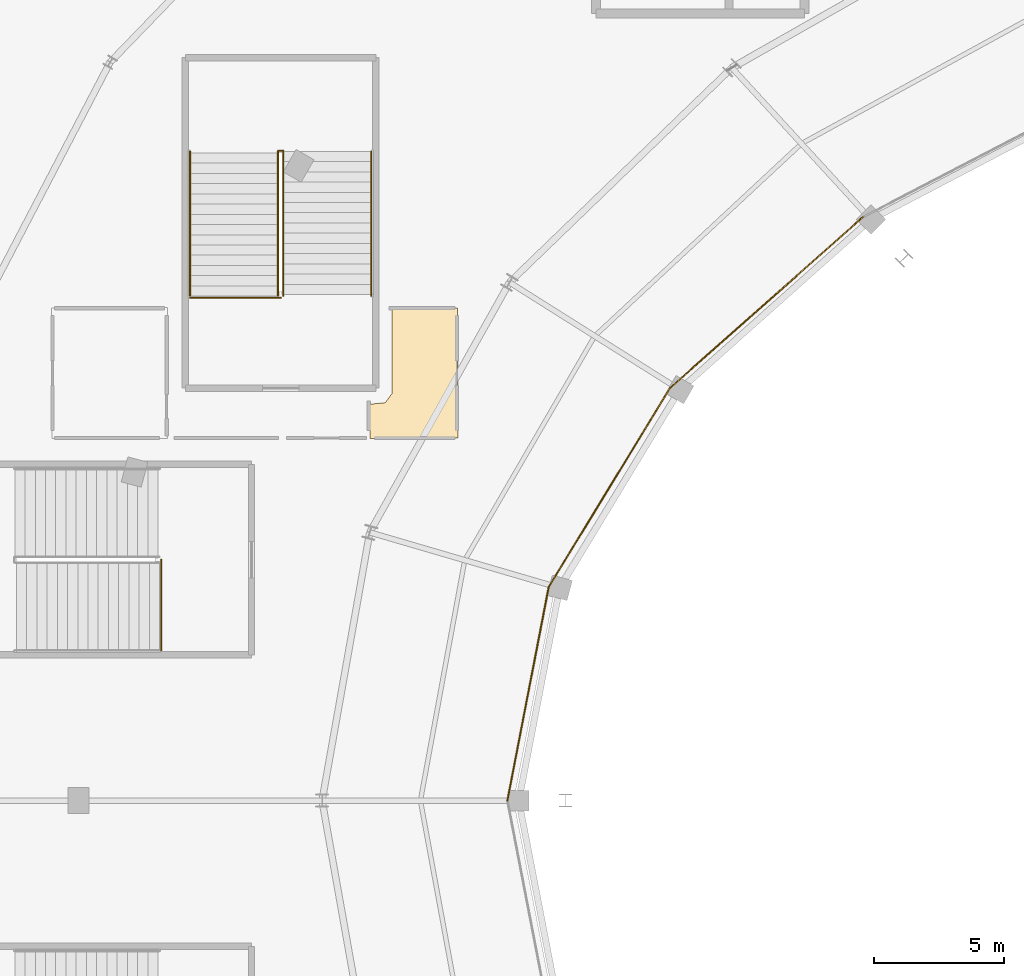
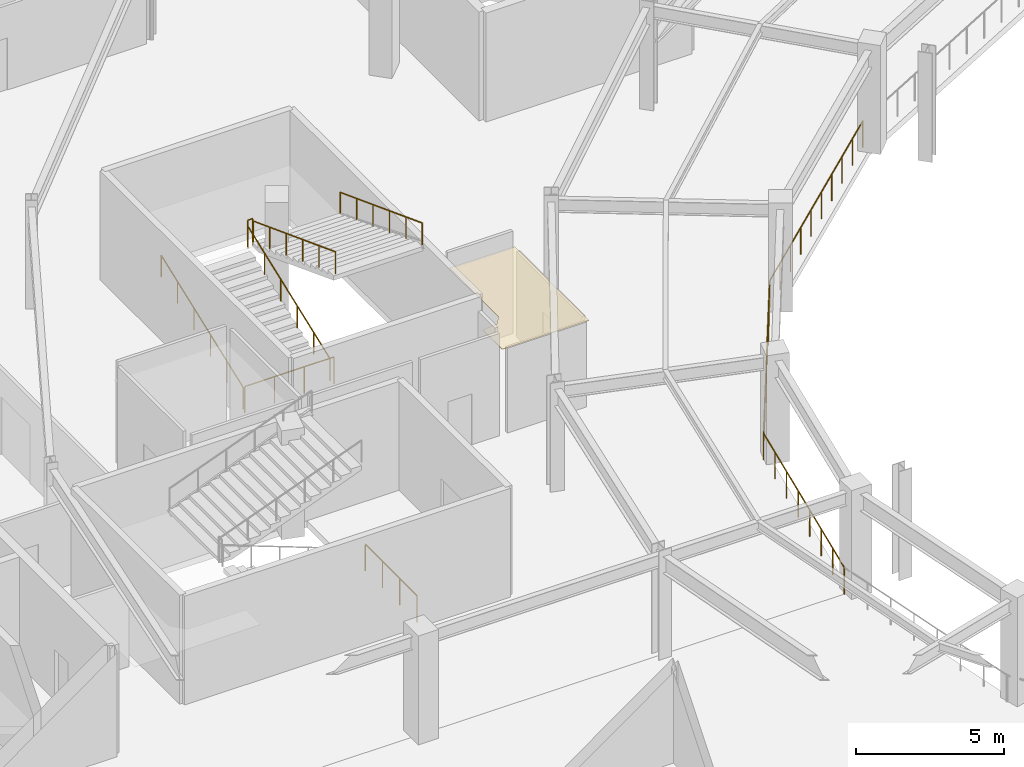
# One storey, part 97 of 107: 10 railings, 1 covering.
"""IFC4 building model written with IfcOpenShell, lengths in metres."""

from ifc_helpers import new_model, si_unit, direction, frame, origin, origin_2d, place, context, subcontext, project, spatial, polyline, circle, outline, extrude, material, layer, layer_set, type_object, element, save


model = new_model("IFC4")

# Units and contexts
model_context = context("Model", 3, precision=1e-05, world=origin(), true_north=direction((0.0, 1.0)))
body_context = subcontext(model_context, "Body", "Model", "MODEL_VIEW")
ifc_project = project(units=[si_unit("LENGTHUNIT", "METRE"), si_unit("AREAUNIT", "SQUARE_METRE"), si_unit("VOLUMEUNIT", "CUBIC_METRE"), si_unit("PLANEANGLEUNIT", "RADIAN"), si_unit("MASSUNIT", "GRAM", prefix="KILO")], contexts=[model_context])

# Site, building, storey
site_placement = place(None, origin())
site = spatial("IfcSite", under=ifc_project, at=site_placement, CompositionType="ELEMENT")
building_placement = place(site_placement, origin())
building = spatial("IfcBuilding", under=site, at=building_placement, Name="Kalgoora Escarpment Arena", CompositionType="ELEMENT")
storey_placement = place(building_placement, frame((0.0, 0.0, 5.39990234375)))
storey = spatial("IfcBuildingStorey", under=building, at=storey_placement, Name="L01", CompositionType="ELEMENT", Elevation=5.39990234375)

# Covering
ifc_material_1 = material(Name="Perforated acoustic mineral-fibre ceiling tile")
ifc_layer = layer(ifc_material_1, 0.02490234375)
ifc_layer_set = layer_set([ifc_layer], Name="COV-CEIL-ACOUSTIC")
covering_type = type_object("IfcCoveringType", Name="COV-CEIL-ACOUSTIC", PredefinedType="CEILING", material=ifc_layer_set)
covering_placement = place(storey_placement, frame((0.0, 0.0, 3.47998046875)))
element("IfcCovering", 1, at=covering_placement, inside=storey, type_object=covering_type, Name="L01 Staff WC 1 acoustic suspended ceiling", PredefinedType="CEILING", context=body_context, shape_type="SweptSolid", body=[
    extrude(outline(polyline([(43.63916015625, 77.9921875), (40.24462890625, 77.981201171875), (40.24072265625, 79.300048828125), (40.835693359375, 79.35888671875), (41.09033203125, 79.702392578125), (41.10009765625, 83.0400390625), (43.63525390625, 83.018798828125), (43.63916015625, 77.9921875)])), origin(), (0.0, 0.0, 1.0), 0.025146484375),
])

# Railings
ifc_material_2 = material(Name="Galvanised & powdercoated tubular steel", Category="steel")
railing_type_1 = type_object("IfcRailingType", Name="RAL-GUARD-1120", PredefinedType="GUARDRAIL", material=ifc_material_2)
railing_1_placement = place(storey_placement, frame((32.18994140625, 69.81005859375, 0.0)))
element("IfcRailing", 2, at=railing_1_placement, inside=storey, type_object=railing_type_1, Name="ST17 L01 floor landing well guard", PredefinedType="GUARDRAIL", context=body_context, shape_type="SweptSolid", body=[
    extrude(circle(Radius=0.02392578125, at=origin_2d()), frame((0.0, 0.0, 1.09619140625), z_axis=(0.0, 1.0, 0.0), x_axis=(-1.0, 0.0, 0.0)), (0.0, 0.0, 1.0), 3.489990234375),
    extrude(circle(Radius=0.02099609375, at=origin_2d()), origin(), (0.0, 0.0, 1.0), 1.072021484375),
    extrude(circle(Radius=0.02099609375, at=origin_2d()), frame((0.0, 1.163330078125, 0.0)), (0.0, 0.0, 1.0), 1.072021484375),
    extrude(circle(Radius=0.02099609375, at=origin_2d()), frame((0.0, 2.32666015625, 0.0)), (0.0, 0.0, 1.0), 1.072021484375),
    extrude(circle(Radius=0.02099609375, at=origin_2d()), frame((0.0, 3.489990234375, 0.0)), (0.0, 0.0, 1.0), 1.072021484375),
])
railing_2_placement = place(storey_placement, frame((36.705078125, 89.080078125, 2.25)))
element("IfcRailing", 3, at=railing_2_placement, inside=storey, type_object=railing_type_1, Name="ST19 L01 half-landing well guard", PredefinedType="GUARDRAIL", context=body_context, shape_type="SweptSolid", body=[
    extrude(circle(Radius=0.02392578125, at=origin_2d()), frame((0.0, 0.0, 1.09619140625), z_axis=(1.0, 0.0, 0.0), x_axis=(0.0, 1.0, 0.0)), (0.0, 0.0, 1.0), 0.18994140625),
    extrude(circle(Radius=0.02099609375, at=origin_2d()), origin(), (0.0, 0.0, 1.0), 1.072021484375),
    extrude(circle(Radius=0.02099609375, at=origin_2d()), frame((0.18994140625, 0.0, 0.0)), (0.0, 0.0, 1.0), 1.072021484375),
])
railing_3_placement = place(storey_placement, frame((33.31005859375, 83.409912109375, 0.0)))
element("IfcRailing", 4, at=railing_3_placement, inside=storey, type_object=railing_type_1, Name="ST19 L01 floor landing well guard", PredefinedType="GUARDRAIL", context=body_context, shape_type="SweptSolid", body=[
    extrude(circle(Radius=0.02392578125, at=origin_2d()), frame((0.0, 0.0, 1.09619140625), z_axis=(1.0, 0.0, 0.0), x_axis=(0.0, 1.0, 0.0)), (0.0, 0.0, 1.0), 3.489990234375),
    extrude(circle(Radius=0.02099609375, at=origin_2d()), origin(), (0.0, 0.0, 1.0), 1.072021484375),
    extrude(circle(Radius=0.02099609375, at=origin_2d()), frame((1.163330078125, 0.0, 0.0)), (0.0, 0.0, 1.0), 1.072021484375),
    extrude(circle(Radius=0.02099609375, at=origin_2d()), frame((2.32666015625, 0.0, 0.0)), (0.0, 0.0, 1.0), 1.072021484375),
    extrude(circle(Radius=0.02099609375, at=origin_2d()), frame((3.489990234375, 0.0, 0.0)), (0.0, 0.0, 1.0), 1.072021484375),
])
railing_4_placement = place(storey_placement, frame((59.27197265625, 86.521484375, 0.0)))
element("IfcRailing", 5, at=railing_4_placement, inside=storey, type_object=railing_type_1, Name="L01 concourse bowl balustrade 10", PredefinedType="GUARDRAIL", context=body_context, shape_type="SweptSolid", body=[
    extrude(circle(Radius=0.02392578125, at=origin_2d()), frame((0.0, 0.0, 1.09619140625), z_axis=(-0.748487582417, -0.663148806051, 0.0), x_axis=(0.663148806051, -0.748487582417, 0.0)), (0.0, 0.0, 1.0), 9.947021484375),
    extrude(circle(Radius=0.02099609375, at=origin_2d()), origin(), (0.0, 0.0, 1.0), 1.072021484375),
    extrude(circle(Radius=0.02099609375, at=origin_2d()), frame((-0.8271484375, -0.73291015625, 0.0)), (0.0, 0.0, 1.0), 1.072021484375),
    extrude(circle(Radius=0.02099609375, at=origin_2d()), frame((-1.654541015625, -1.4658203125, 0.0)), (0.0, 0.0, 1.0), 1.072021484375),
    extrude(circle(Radius=0.02099609375, at=origin_2d()), frame((-2.481689453125, -2.19873046875, 0.0)), (0.0, 0.0, 1.0), 1.072021484375),
    extrude(circle(Radius=0.02099609375, at=origin_2d()), frame((-3.30908203125, -2.931640625, 0.0)), (0.0, 0.0, 1.0), 1.072021484375),
    extrude(circle(Radius=0.02099609375, at=origin_2d()), frame((-4.13623046875, -3.664794921875, 0.0)), (0.0, 0.0, 1.0), 1.072021484375),
    extrude(circle(Radius=0.02099609375, at=origin_2d()), frame((-4.963623046875, -4.397705078125, 0.0)), (0.0, 0.0, 1.0), 1.072021484375),
    extrude(circle(Radius=0.02099609375, at=origin_2d()), frame((-5.790771484375, -5.130615234375, 0.0)), (0.0, 0.0, 1.0), 1.072021484375),
    extrude(circle(Radius=0.02099609375, at=origin_2d()), frame((-6.6181640625, -5.863525390625, 0.0)), (0.0, 0.0, 1.0), 1.072021484375),
    extrude(circle(Radius=0.02099609375, at=origin_2d()), frame((-7.4453125, -6.596435546875, 0.0)), (0.0, 0.0, 1.0), 1.072021484375),
])
railing_5_placement = place(storey_placement, frame((51.82666015625, 79.925048828125, 0.0)))
element("IfcRailing", 6, at=railing_5_placement, inside=storey, type_object=railing_type_1, Name="L01 concourse bowl balustrade 11", PredefinedType="GUARDRAIL", context=body_context, shape_type="SweptSolid", body=[
    extrude(circle(Radius=0.02392578125, at=origin_2d()), frame((0.0, 0.0, 1.09619140625), z_axis=(-0.520303373026, -0.853981498639, 0.0), x_axis=(0.853981498639, -0.520303373026, 0.0)), (0.0, 0.0, 1.0), 8.9951171875),
    extrude(circle(Radius=0.02099609375, at=origin_2d()), origin(), (0.0, 0.0, 1.0), 1.072021484375),
    extrude(circle(Radius=0.02099609375, at=origin_2d()), frame((-0.5849609375, -0.960205078125, 0.0)), (0.0, 0.0, 1.0), 1.072021484375),
    extrude(circle(Radius=0.02099609375, at=origin_2d()), frame((-1.169921875, -1.92041015625, 0.0)), (0.0, 0.0, 1.0), 1.072021484375),
    extrude(circle(Radius=0.02099609375, at=origin_2d()), frame((-1.755126953125, -2.880615234375, 0.0)), (0.0, 0.0, 1.0), 1.072021484375),
    extrude(circle(Radius=0.02099609375, at=origin_2d()), frame((-2.340087890625, -3.8408203125, 0.0)), (0.0, 0.0, 1.0), 1.072021484375),
    extrude(circle(Radius=0.02099609375, at=origin_2d()), frame((-2.925048828125, -4.801025390625, 0.0)), (0.0, 0.0, 1.0), 1.072021484375),
    extrude(circle(Radius=0.02099609375, at=origin_2d()), frame((-3.51025390625, -5.76123046875, 0.0)), (0.0, 0.0, 1.0), 1.072021484375),
    extrude(circle(Radius=0.02099609375, at=origin_2d()), frame((-4.09521484375, -6.721435546875, 0.0)), (0.0, 0.0, 1.0), 1.072021484375),
    extrude(circle(Radius=0.02099609375, at=origin_2d()), frame((-4.68017578125, -7.681640625, 0.0)), (0.0, 0.0, 1.0), 1.072021484375),
])
railing_6_placement = place(storey_placement, frame((47.146484375, 72.243408203125, 0.0)))
element("IfcRailing", 7, at=railing_6_placement, inside=storey, type_object=railing_type_1, Name="L01 concourse bowl balustrade 12", PredefinedType="GUARDRAIL", context=body_context, shape_type="SweptSolid", body=[
    extrude(circle(Radius=0.02392578125, at=origin_2d()), frame((0.0, 0.0, 1.09619140625), z_axis=(-0.190129490405, -0.981759021796, 0.0), x_axis=(0.981759021796, -0.190129490405, 0.0)), (0.0, 0.0, 1.0), 8.396484375),
    extrude(circle(Radius=0.02099609375, at=origin_2d()), origin(), (0.0, 0.0, 1.0), 1.072021484375),
    extrude(circle(Radius=0.02099609375, at=origin_2d()), frame((-0.22802734375, -1.177734375, 0.0)), (0.0, 0.0, 1.0), 1.072021484375),
    extrude(circle(Radius=0.02099609375, at=origin_2d()), frame((-0.4560546875, -2.355224609375, 0.0)), (0.0, 0.0, 1.0), 1.072021484375),
    extrude(circle(Radius=0.02099609375, at=origin_2d()), frame((-0.68408203125, -3.532958984375, 0.0)), (0.0, 0.0, 1.0), 1.072021484375),
    extrude(circle(Radius=0.02099609375, at=origin_2d()), frame((-0.912353515625, -4.71044921875, 0.0)), (0.0, 0.0, 1.0), 1.072021484375),
    extrude(circle(Radius=0.02099609375, at=origin_2d()), frame((-1.140380859375, -5.88818359375, 0.0)), (0.0, 0.0, 1.0), 1.072021484375),
    extrude(circle(Radius=0.02099609375, at=origin_2d()), frame((-1.368408203125, -7.065673828125, 0.0)), (0.0, 0.0, 1.0), 1.072021484375),
    extrude(circle(Radius=0.02099609375, at=origin_2d()), frame((-1.596435546875, -8.243408203125, 0.0)), (0.0, 0.0, 1.0), 1.072021484375),
])
ifc_material_3 = material(Name="Brushed stainless steel 316 handrail", Category="steel")
railing_type_2 = type_object("IfcRailingType", Name="RAL-HAND-920", PredefinedType="HANDRAIL", material=ifc_material_3)
for number, where, name in (
    (8, (33.300048828125, 83.489990234375, 0.110107421875), "ST19 L01 pitched stair handrail F1L"),
    (9, (36.695068359375, 83.489990234375, 0.110107421875), "ST19 L01 pitched stair handrail F1R"),
):
    element("IfcRailing", number, at=place(storey_placement, frame(where)), inside=storey, type_object=railing_type_2, Name=name, PredefinedType="HANDRAIL", context=body_context, shape_type="SweptSolid", body=[
        extrude(circle(Radius=0.02392578125, at=origin_2d()), frame((0.0, 0.0, 0.89599609375), z_axis=(0.0, 0.935492612948, 0.353346248203), x_axis=(-1.0, 0.0, 0.0)), (0.0, 0.0, 1.0), 5.943359375),
        extrude(circle(Radius=0.02099609375, at=origin_2d()), origin(), (0.0, 0.0, 1.0), 0.871826171875),
        extrude(circle(Radius=0.02099609375, at=origin_2d()), frame((0.0, 1.112060546875, 0.419921875)), (0.0, 0.0, 1.0), 0.871826171875),
        extrude(circle(Radius=0.02099609375, at=origin_2d()), frame((0.0, 2.22412109375, 0.840087890625)), (0.0, 0.0, 1.0), 0.871826171875),
        extrude(circle(Radius=0.02099609375, at=origin_2d()), frame((0.0, 3.3359375, 1.260009765625)), (0.0, 0.0, 1.0), 0.871826171875),
        extrude(circle(Radius=0.02099609375, at=origin_2d()), frame((0.0, 4.447998046875, 1.68017578125)), (0.0, 0.0, 1.0), 0.871826171875),
        extrude(circle(Radius=0.02099609375, at=origin_2d()), frame((0.0, 5.56005859375, 2.10009765625)), (0.0, 0.0, 1.0), 0.871826171875),
    ])
for number, where, name in (
    (10, (36.905029296875, 89.050048828125, 2.360107421875), "ST19 L01 pitched stair handrail F2L"),
    (11, (40.300048828125, 89.050048828125, 2.360107421875), "ST19 L01 pitched stair handrail F2R"),
):
    element("IfcRailing", number, at=place(storey_placement, frame(where)), inside=storey, type_object=railing_type_2, Name=name, PredefinedType="HANDRAIL", context=body_context, shape_type="SweptSolid", body=[
        extrude(circle(Radius=0.02392578125, at=origin_2d()), frame((0.0, 0.0, 0.89599609375), z_axis=(0.0, -0.935492612948, 0.353346248203), x_axis=(1.0, 0.0, 0.0)), (0.0, 0.0, 1.0), 5.943359375),
        extrude(circle(Radius=0.02099609375, at=origin_2d()), origin(), (0.0, 0.0, 1.0), 0.871826171875),
        extrude(circle(Radius=0.02099609375, at=origin_2d()), frame((0.0, -1.112060546875, 0.419921875)), (0.0, 0.0, 1.0), 0.871826171875),
        extrude(circle(Radius=0.02099609375, at=origin_2d()), frame((0.0, -2.22412109375, 0.840087890625)), (0.0, 0.0, 1.0), 0.871826171875),
        extrude(circle(Radius=0.02099609375, at=origin_2d()), frame((0.0, -3.3359375, 1.260009765625)), (0.0, 0.0, 1.0), 0.871826171875),
        extrude(circle(Radius=0.02099609375, at=origin_2d()), frame((0.0, -4.447998046875, 1.68017578125)), (0.0, 0.0, 1.0), 0.871826171875),
        extrude(circle(Radius=0.02099609375, at=origin_2d()), frame((0.0, -5.56005859375, 2.10009765625)), (0.0, 0.0, 1.0), 0.871826171875),
    ])

save(model, "model.ifc")
